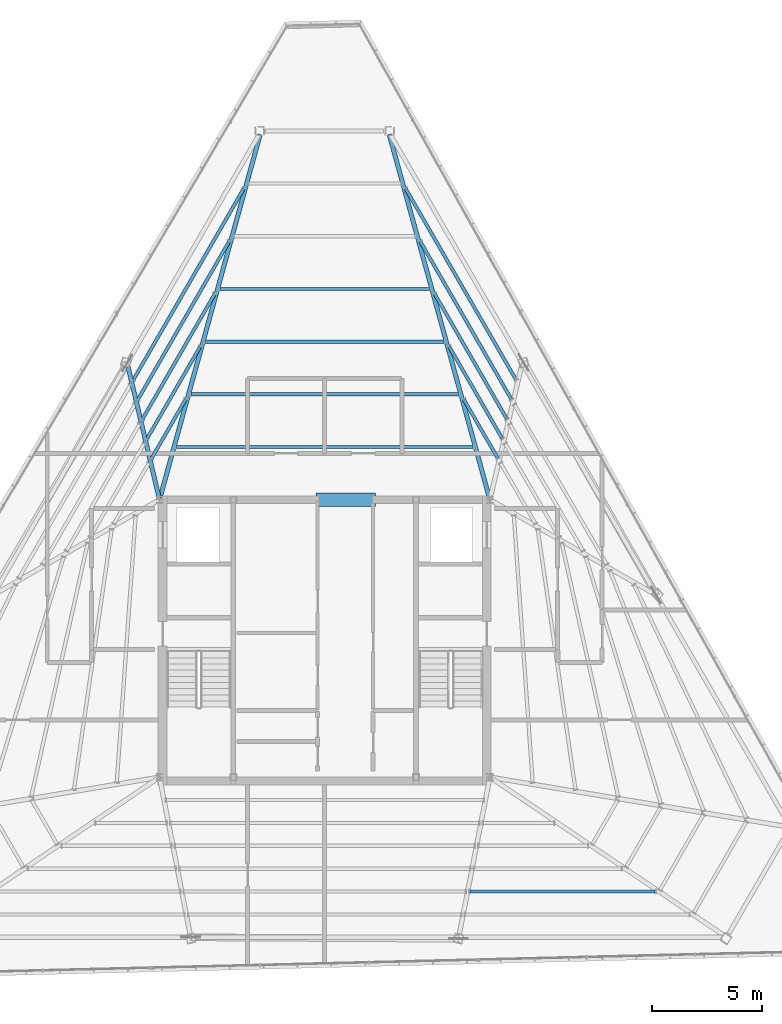
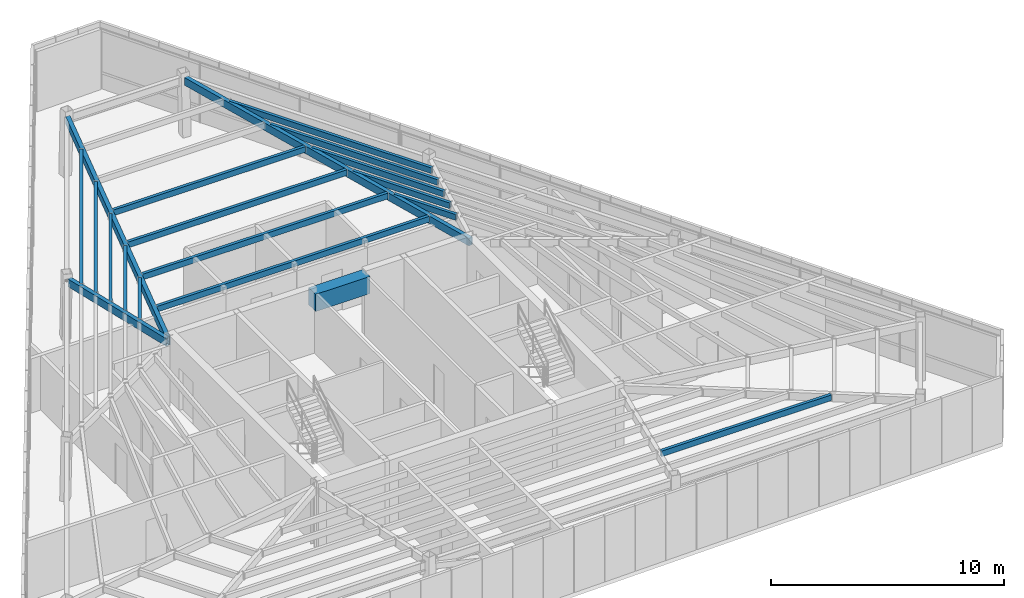
# One storey, part 20 of 47: 19 beams.
"""IFC4 building model written with IfcOpenShell, lengths in metres."""

from ifc_helpers import new_model, si_unit, direction, frame, origin, origin_2d, place, context, subcontext, project, spatial, rectangle, hollow_rectangle, extrude, source, transform, mapped, material, material_profile, profile_set, type_object, type_shapes, element, save


model = new_model("IFC4")

# Units and contexts
model_context = context("Model", 3, precision=1e-05, world=origin(), true_north=direction((0.0, 1.0)))
body_context = subcontext(model_context, "Body", "Model", "MODEL_VIEW")
ifc_project = project(units=[si_unit("LENGTHUNIT", "METRE"), si_unit("AREAUNIT", "SQUARE_METRE"), si_unit("VOLUMEUNIT", "CUBIC_METRE"), si_unit("PLANEANGLEUNIT", "RADIAN"), si_unit("MASSUNIT", "GRAM", prefix="KILO")], contexts=[model_context])

# Site, building, storey
site_placement = place(None, origin())
site = spatial("IfcSite", under=ifc_project, at=site_placement, CompositionType="ELEMENT")
building_placement = place(site_placement, origin())
building = spatial("IfcBuilding", under=site, at=building_placement, Name="Caelisora Broadcast Tower", CompositionType="ELEMENT")
storey_placement = place(building_placement, frame((0.0, 0.0, 293.199951171875)))
storey = spatial("IfcBuildingStorey", under=building, at=storey_placement, Name="L77", CompositionType="ELEMENT", Elevation=293.199951171875)

# Beams
ifc_material_1 = material(Name="Concrete 50 MPa (AS 3600 S50)", Category="concrete")
ifc_material_profile_1 = material_profile(ifc_material_1, rectangle(XDim=0.60009765625, YDim=0.89990234375, at=origin_2d()), Name="Concrete 50 MPa (AS 3600 S50)")
ifc_profile_set_1 = profile_set([ifc_material_profile_1], Name="Concrete 50 MPa (AS 3600 S50)")
beam_type_1 = type_object("IfcBeamType", Name="CB02", PredefinedType="LINTEL", material=ifc_profile_set_1)
shared_shape_1 = source(origin(), body_context, "Body", "SweptSolid", [
    extrude(rectangle(XDim=0.60009765625, YDim=0.89990234375, at=origin_2d()), origin(), (0.0, 0.0, 1.0), 2.699951171875),
])
type_shapes(beam_type_1, [shared_shape_1])
beam_1_placement = place(storey_placement, frame((37.60009765625, 30.0, 2.699951171875), z_axis=(1.0, 0.0, 0.0), x_axis=(0.0, 1.0, 0.0)))
element("IfcBeam", 1, at=beam_1_placement, inside=storey, type_object=beam_type_1, Name="L77 beam CB02", PredefinedType="LINTEL", context=body_context, shape_type="MappedRepresentation", body=[
    mapped(shared_shape_1, transform((0.0, 0.0, 0.0), scale=1.0)),
])
ifc_material_2 = material(Name="Steel Grade 350 (AS/NZS 1163 C350L0)", Category="steel")
ifc_material_profile_2 = material_profile(ifc_material_2, hollow_rectangle(XDim=0.14990234375, YDim=0.300048828125, WallThickness=0.010009765625, at=origin_2d()), Name="Steel Grade 350 (AS/NZS 1163 C350L0)")
ifc_profile_set_2 = profile_set([ifc_material_profile_2], Name="Steel Grade 350 (AS/NZS 1163 C350L0)")
beam_type_2 = type_object("IfcBeamType", Name="SB05", PredefinedType="JOIST", material=ifc_profile_set_2)
shared_shape_2 = source(origin(), body_context, "Body", "SweptSolid", [
    extrude(hollow_rectangle(XDim=0.14990234375, YDim=0.300048828125, WallThickness=0.010009765625, at=origin_2d()), origin(), (0.0, 0.0, 1.0), 4.81298828125),
])
for number, where, z_axis, x_axis, name in (
    (2, (32.347412109375, 36.951416015625, 3.0), (-0.499996152028, -0.866027625401, 0.0), (0.866027625401, -0.499996152028, 0.0), "L77 beam SB05"),
    (3, (46.05908203125, 32.783203125, 3.0), (-0.499996152028, 0.866027625401, 0.0), (-0.866027625401, -0.499996152028, 0.0), "L77 beam SB05"),
):
    element("IfcBeam", number, at=place(storey_placement, frame(where, z_axis=z_axis, x_axis=x_axis)), inside=storey, type_object=beam_type_2, Name=name, PredefinedType="JOIST", context=body_context, shape_type="MappedRepresentation", body=[
        mapped(shared_shape_2, transform((0.0, 0.0, 0.0), scale=1.0)),
    ])
ifc_material_profile_3 = material_profile(ifc_material_2, hollow_rectangle(XDim=0.199951171875, YDim=0.39990234375, WallThickness=0.012451171875, at=origin_2d()), Name="Steel Grade 350 (AS/NZS 1163 C350L0)")
ifc_profile_set_3 = profile_set([ifc_material_profile_3], Name="Steel Grade 350 (AS/NZS 1163 C350L0)")
beam_type_3 = type_object("IfcBeamType", Name="PG07", PredefinedType="BEAM", material=ifc_profile_set_3)
shared_shape_3 = source(origin(), body_context, "Body", "SweptSolid", [
    extrude(hollow_rectangle(XDim=0.199951171875, YDim=0.39990234375, WallThickness=0.012451171875, at=origin_2d()), origin(), (0.0, 0.0, 1.0), 17.1416015625),
])
for number, where, z_axis, x_axis, name in (
    (4, (45.484130859375, 30.057861328125, 2.949951171875), (-0.265653325694, 0.96406862336, 0.0), (-0.96406862336, -0.265653325694, 0.0), "L77 beam PG07"),
    (5, (30.515869140625, 30.057861328125, 2.949951171875), (0.265653325694, 0.96406862336, 0.0), (-0.96406862336, 0.265653325694, 0.0), "L77 beam PG07"),
):
    element("IfcBeam", number, at=place(storey_placement, frame(where, z_axis=z_axis, x_axis=x_axis)), inside=storey, type_object=beam_type_3, Name=name, PredefinedType="BEAM", context=body_context, shape_type="MappedRepresentation", body=[
        mapped(shared_shape_3, transform((0.0, 0.0, 0.0), scale=1.0)),
    ])
shared_shape_4 = source(origin(), body_context, "Body", "SweptSolid", [
    extrude(hollow_rectangle(XDim=0.199951171875, YDim=0.39990234375, WallThickness=0.012451171875, at=origin_2d()), origin(), (0.0, 0.0, 1.0), 6.149658203125),
])
type_shapes(beam_type_3, [shared_shape_3, shared_shape_4])
beam_2_placement = place(storey_placement, frame((30.486083984375, 30.058349609375, 2.949951171875), z_axis=(-0.230616746144, 0.973044663106, 0.0), x_axis=(-0.973044663106, -0.230616746144, 0.0)))
element("IfcBeam", 6, at=beam_2_placement, inside=storey, type_object=beam_type_3, Name="L77 beam PG07", PredefinedType="BEAM", context=body_context, shape_type="MappedRepresentation", body=[
    mapped(shared_shape_4, transform((0.0, 0.0, 0.0), scale=1.0)),
])
shared_shape_5 = source(origin(), body_context, "Body", "SweptSolid", [
    extrude(hollow_rectangle(XDim=0.14990234375, YDim=0.300048828125, WallThickness=0.010009765625, at=origin_2d()), origin(), (0.0, 0.0, 1.0), 13.47998046875),
])
beam_3_placement = place(storey_placement, frame((44.739990234375, 32.39208984375, 3.0), z_axis=(-1.0, 0.0, 0.0), x_axis=(0.0, -1.0, 0.0)))
element("IfcBeam", 7, at=beam_3_placement, inside=storey, type_object=beam_type_2, Name="L77 beam SB05", PredefinedType="JOIST", context=body_context, shape_type="MappedRepresentation", body=[
    mapped(shared_shape_5, transform((0.0, 0.0, 0.0), scale=1.0)),
])
shared_shape_6 = source(origin(), body_context, "Body", "SweptSolid", [
    extrude(hollow_rectangle(XDim=0.14990234375, YDim=0.300048828125, WallThickness=0.010009765625, at=origin_2d()), origin(), (0.0, 0.0, 1.0), 12.16162109375),
])
beam_4_placement = place(storey_placement, frame((44.080810546875, 34.784423828125, 3.0), z_axis=(-1.0, 0.0, 0.0), x_axis=(0.0, -1.0, 0.0)))
element("IfcBeam", 8, at=beam_4_placement, inside=storey, type_object=beam_type_2, Name="L77 beam SB05", PredefinedType="JOIST", context=body_context, shape_type="MappedRepresentation", body=[
    mapped(shared_shape_6, transform((0.0, 0.0, 0.0), scale=1.0)),
])
shared_shape_7 = source(origin(), body_context, "Body", "SweptSolid", [
    extrude(hollow_rectangle(XDim=0.14990234375, YDim=0.300048828125, WallThickness=0.010009765625, at=origin_2d()), origin(), (0.0, 0.0, 1.0), 10.84326171875),
])
beam_5_placement = place(storey_placement, frame((43.421630859375, 37.176513671875, 3.0), z_axis=(-1.0, 0.0, 0.0), x_axis=(0.0, -1.0, 0.0)))
element("IfcBeam", 9, at=beam_5_placement, inside=storey, type_object=beam_type_2, Name="L77 beam SB05", PredefinedType="JOIST", context=body_context, shape_type="MappedRepresentation", body=[
    mapped(shared_shape_7, transform((0.0, 0.0, 0.0), scale=1.0)),
])
shared_shape_8 = source(origin(), body_context, "Body", "SweptSolid", [
    extrude(hollow_rectangle(XDim=0.14990234375, YDim=0.300048828125, WallThickness=0.010009765625, at=origin_2d()), origin(), (0.0, 0.0, 1.0), 9.525390625),
])
beam_6_placement = place(storey_placement, frame((42.7626953125, 39.56884765625, 3.0), z_axis=(-1.0, 0.0, 0.0), x_axis=(0.0, -1.0, 0.0)))
element("IfcBeam", 10, at=beam_6_placement, inside=storey, type_object=beam_type_2, Name="L77 beam SB05", PredefinedType="JOIST", context=body_context, shape_type="MappedRepresentation", body=[
    mapped(shared_shape_8, transform((0.0, 0.0, 0.0), scale=1.0)),
])
shared_shape_9 = source(origin(), body_context, "Body", "SweptSolid", [
    extrude(hollow_rectangle(XDim=0.14990234375, YDim=0.300048828125, WallThickness=0.010009765625, at=origin_2d()), origin(), (0.0, 0.0, 1.0), 3.074462890625),
])
for number, where, z_axis, x_axis, name in (
    (11, (31.688232421875, 34.55908203125, 3.0), (-0.499965335005, -0.866045416704, 0.0), (0.866045416704, -0.499965335005, 0.0), "L77 beam SB05"),
    (12, (45.848876953125, 31.896484375, 3.0), (-0.499965335005, 0.866045416704, 0.0), (-0.866045416704, -0.499965335005, 0.0), "L77 beam SB05"),
):
    element("IfcBeam", number, at=place(storey_placement, frame(where, z_axis=z_axis, x_axis=x_axis)), inside=storey, type_object=beam_type_2, Name=name, PredefinedType="JOIST", context=body_context, shape_type="MappedRepresentation", body=[
        mapped(shared_shape_9, transform((0.0, 0.0, 0.0), scale=1.0)),
    ])
shared_shape_10 = source(origin(), body_context, "Body", "SweptSolid", [
    extrude(hollow_rectangle(XDim=0.14990234375, YDim=0.300048828125, WallThickness=0.010009765625, at=origin_2d()), origin(), (0.0, 0.0, 1.0), 6.551513671875),
])
for number, where, z_axis, x_axis, name in (
    (13, (33.006591796875, 39.343505859375, 3.0), (-0.499982664585, -0.86603541216, 0.0), (0.86603541216, -0.499982664585, 0.0), "L77 beam SB05"),
    (14, (46.26904296875, 33.669677734375, 3.0), (-0.499982664585, 0.86603541216, 0.0), (-0.86603541216, -0.499982664585, 0.0), "L77 beam SB05"),
):
    element("IfcBeam", number, at=place(storey_placement, frame(where, z_axis=z_axis, x_axis=x_axis)), inside=storey, type_object=beam_type_2, Name=name, PredefinedType="JOIST", context=body_context, shape_type="MappedRepresentation", body=[
        mapped(shared_shape_10, transform((0.0, 0.0, 0.0), scale=1.0)),
    ])
shared_shape_11 = source(origin(), body_context, "Body", "SweptSolid", [
    extrude(hollow_rectangle(XDim=0.14990234375, YDim=0.300048828125, WallThickness=0.010009765625, at=origin_2d()), origin(), (0.0, 0.0, 1.0), 8.2900390625),
])
for number, where, z_axis, x_axis, name in (
    (15, (33.665771484375, 41.735595703125, 3.0), (-0.499996921781, -0.866027180988, 0.0), (0.866027180988, -0.499996921781, 0.0), "L77 beam SB05"),
    (16, (46.479248046875, 34.55615234375, 3.0), (-0.499996921781, 0.866027180988, 0.0), (-0.866027180988, -0.499996921781, 0.0), "L77 beam SB05"),
):
    element("IfcBeam", number, at=place(storey_placement, frame(where, z_axis=z_axis, x_axis=x_axis)), inside=storey, type_object=beam_type_2, Name=name, PredefinedType="JOIST", context=body_context, shape_type="MappedRepresentation", body=[
        mapped(shared_shape_11, transform((0.0, 0.0, 0.0), scale=1.0)),
    ])
shared_shape_12 = source(origin(), body_context, "Body", "SweptSolid", [
    extrude(hollow_rectangle(XDim=0.14990234375, YDim=0.300048828125, WallThickness=0.010009765625, at=origin_2d()), origin(), (0.0, 0.0, 1.0), 10.028564453125),
])
for number, where, z_axis, x_axis, name in (
    (17, (34.324951171875, 44.1279296875, 3.0), (-0.499987977232, -0.866032345022, 0.0), (0.866032345022, -0.499987977232, 0.0), "L77 beam SB05"),
    (18, (46.689208984375, 35.44287109375, 3.0), (-0.499987977232, 0.866032345022, 0.0), (-0.866032345022, -0.499987977232, 0.0), "L77 beam SB05"),
):
    element("IfcBeam", number, at=place(storey_placement, frame(where, z_axis=z_axis, x_axis=x_axis)), inside=storey, type_object=beam_type_2, Name=name, PredefinedType="JOIST", context=body_context, shape_type="MappedRepresentation", body=[
        mapped(shared_shape_12, transform((0.0, 0.0, 0.0), scale=1.0)),
    ])
shared_shape_13 = source(origin(), body_context, "Body", "SweptSolid", [
    extrude(hollow_rectangle(XDim=0.14990234375, YDim=0.300048828125, WallThickness=0.010009765625, at=origin_2d()), origin(), (0.0, 0.0, 1.0), 8.41845703125),
])
type_shapes(beam_type_2, [shared_shape_2, shared_shape_5, shared_shape_6, shared_shape_7, shared_shape_8, shared_shape_9, shared_shape_10, shared_shape_11, shared_shape_12, shared_shape_13])
beam_7_placement = place(storey_placement, frame((44.58837890625, 12.205810546875, 3.0), z_axis=(1.0, 0.0, 0.0), x_axis=(0.0, 1.0, 0.0)))
element("IfcBeam", 19, at=beam_7_placement, inside=storey, type_object=beam_type_2, Name="L77 beam SB05", PredefinedType="JOIST", context=body_context, shape_type="MappedRepresentation", body=[
    mapped(shared_shape_13, transform((0.0, 0.0, 0.0), scale=1.0)),
])

save(model, "model.ifc")
